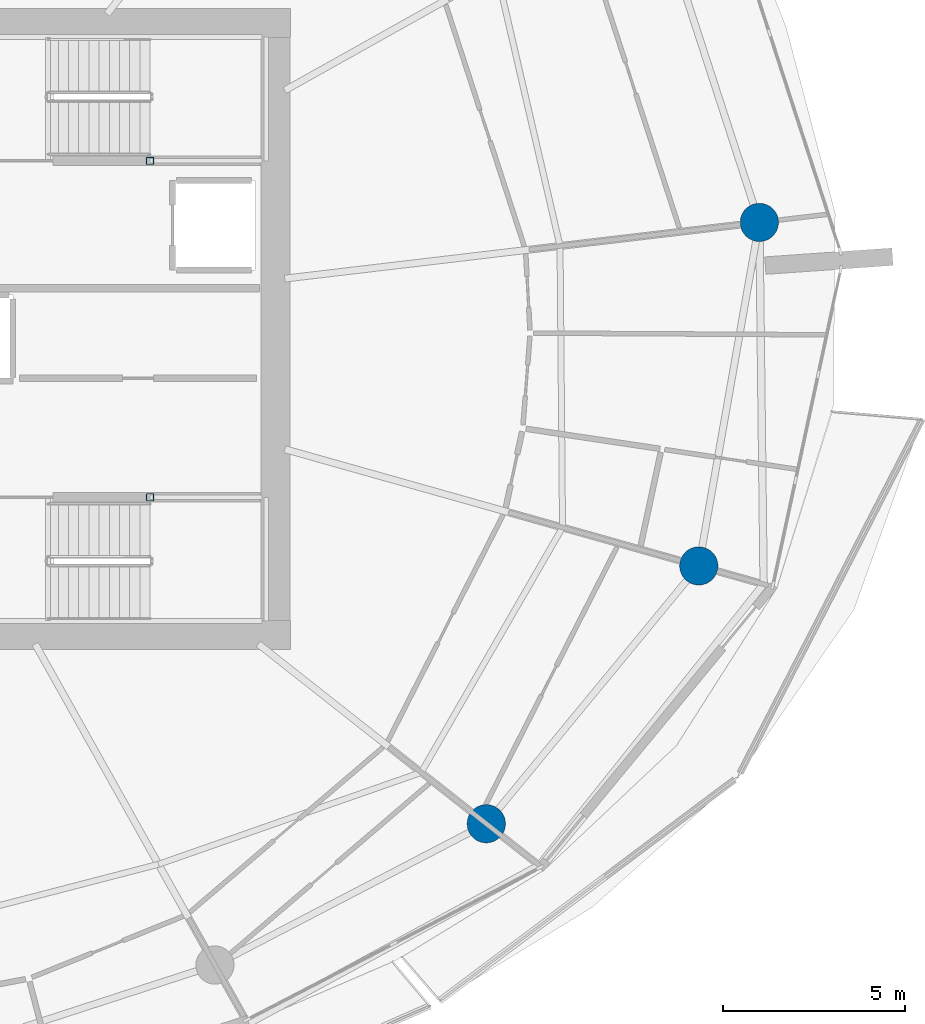
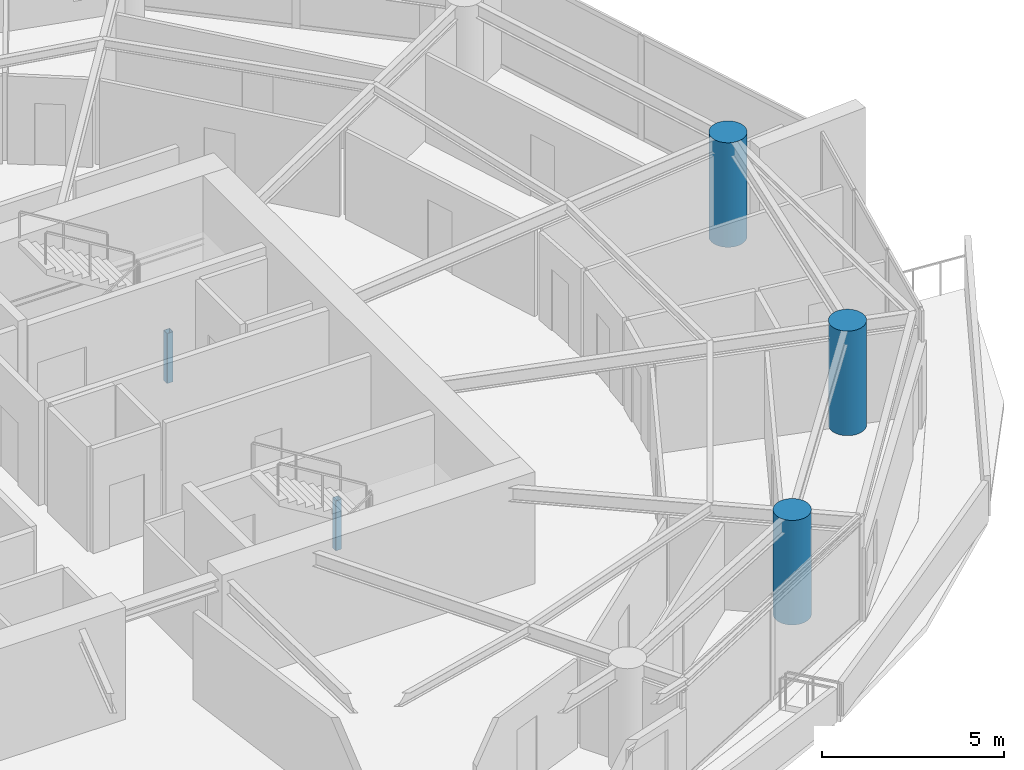
# One storey, part 3 of 20: 5 columns.
"""IFC4 building model written with IfcOpenShell, lengths in metres."""

from ifc_helpers import new_model, si_unit, direction, frame, origin, origin_2d, place, context, subcontext, project, spatial, hollow_rectangle, circle, extrude, material, material_profile, profile_set, type_object, element, save


model = new_model("IFC4")

# Units and contexts
model_context = context("Model", 3, precision=1e-05, world=origin(), true_north=direction((0.0, 1.0)))
body_context = subcontext(model_context, "Body", "Model", "MODEL_VIEW")
ifc_project = project(units=[si_unit("LENGTHUNIT", "METRE"), si_unit("AREAUNIT", "SQUARE_METRE"), si_unit("VOLUMEUNIT", "CUBIC_METRE"), si_unit("PLANEANGLEUNIT", "RADIAN"), si_unit("MASSUNIT", "GRAM", prefix="KILO")], contexts=[model_context])

# Site, building, storey
site_placement = place(None, origin())
site = spatial("IfcSite", under=ifc_project, at=site_placement, CompositionType="ELEMENT")
building_placement = place(site_placement, origin())
building = spatial("IfcBuilding", under=site, at=building_placement, Name="Kazma Halo Residences", CompositionType="ELEMENT")
storey_placement = place(building_placement, frame((0.0, 0.0, 146.550048828125)))
storey = spatial("IfcBuildingStorey", under=building, at=storey_placement, Name="L36", CompositionType="ELEMENT", Elevation=146.550048828125)

# Columns
ifc_material_1 = material(Name="Steel S355", Category="steel")
ifc_material_profile_1 = material_profile(ifc_material_1, hollow_rectangle(XDim=0.199951171875, YDim=0.199951171875, WallThickness=0.010009765625, InnerFilletRadius=0.010009765625, OuterFilletRadius=0.02001953125, at=origin_2d()), Name="SHS200x200x10")
ifc_profile_set_1 = profile_set([ifc_material_profile_1], Name="Steel S355")
column_type_1 = type_object("IfcColumnType", Name="COL-LP-SHS200", PredefinedType="COLUMN", material=ifc_profile_set_1)
for number, where, z_axis, x_axis, name in (
    (1, (56.0, 46.6201171875, 0.0), (0.0, 0.0, 1.0), (1.0, 0.0, 0.0), "L36 ST-02 landing pilaster 1"),
    (2, (56.0, 37.3798828125, 0.0), (0.0, 0.0, 1.0), (1.0, 0.0, 0.0), "L36 ST-03 landing pilaster 1"),
):
    element("IfcColumn", number, at=place(storey_placement, frame(where, z_axis=z_axis, x_axis=x_axis)), inside=storey, type_object=column_type_1, Name=name, PredefinedType="COLUMN", context=body_context, shape_type="SweptSolid", body=[
        extrude(hollow_rectangle(XDim=0.199951171875, YDim=0.199951171875, WallThickness=0.010009765625, InnerFilletRadius=0.010009765625, OuterFilletRadius=0.02001953125, at=origin_2d()), origin(), (0.0, 0.0, 1.0), 1.669921875),
    ])
ifc_material_2 = material(Name="Concrete C80/95", Category="concrete")
ifc_material_profile_2 = material_profile(ifc_material_2, circle(Radius=0.52490234375, at=origin_2d()), Name="CIRC1050")
ifc_profile_set_2 = profile_set([ifc_material_profile_2], Name="Concrete C80/95")
column_type_2 = type_object("IfcColumnType", Name="COL-PERIM-1050", PredefinedType="COLUMN", material=ifc_profile_set_2)
for number, where, z_axis, x_axis, name in (
    (3, (65.234375, 28.41357421875, 0.0), (0.0, 0.0, 1.0), (1.0, 0.0, 0.0), "L36 perimeter ring column P14"),
    (4, (71.06982421875, 35.49365234375, 0.0), (0.0, 0.0, 1.0), (1.0, 0.0, 0.0), "L36 perimeter ring column P15"),
    (5, (72.733154296875, 44.927490234375, 0.0), (0.0, 0.0, 1.0), (1.0, 0.0, 0.0), "L36 perimeter ring column P16"),
):
    element("IfcColumn", number, at=place(storey_placement, frame(where, z_axis=z_axis, x_axis=x_axis)), inside=storey, type_object=column_type_2, Name=name, PredefinedType="COLUMN", context=body_context, shape_type="SweptSolid", body=[
        extrude(circle(Radius=0.52490234375, at=origin_2d()), origin(), (0.0, 0.0, 1.0), 3.5),
    ])

save(model, "model.ifc")
